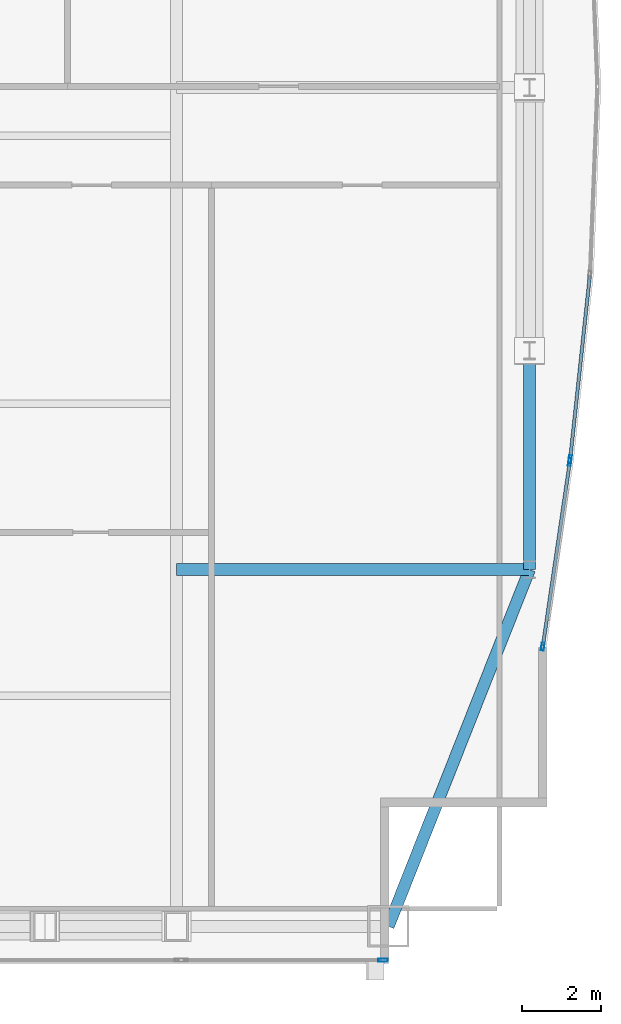
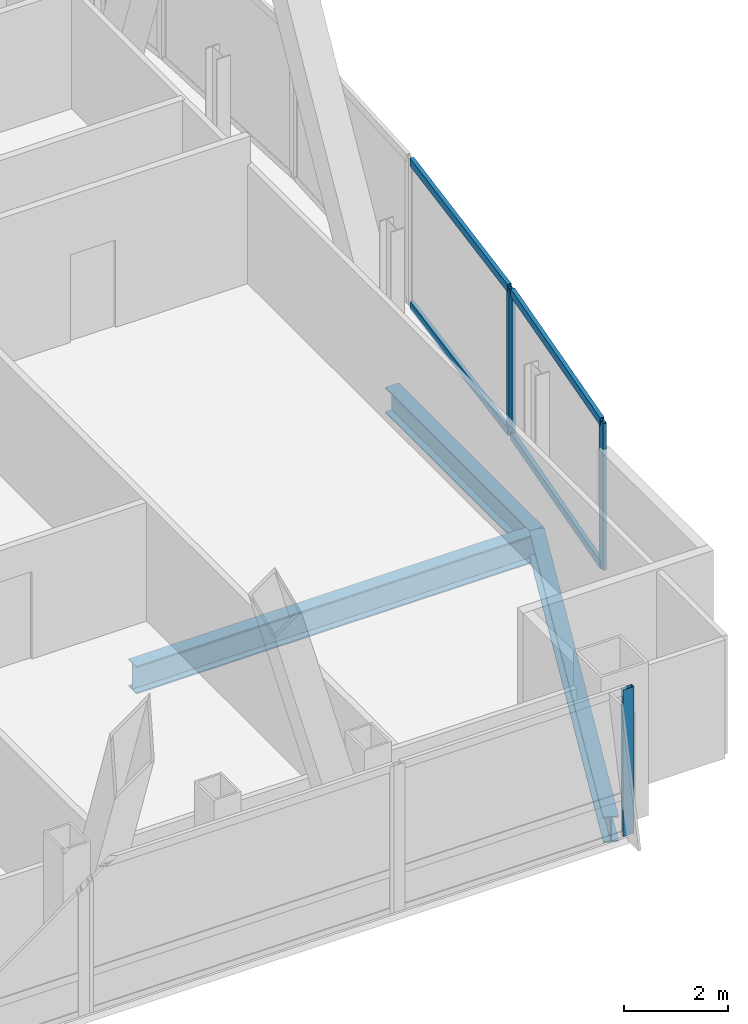
# One storey, part 16 of 31: 8 members, 3 beams, 3 elements without a shape of their own.
"""IFC4 building model written with IfcOpenShell, lengths in metres."""

from ifc_helpers import new_model, si_unit, direction, frame, origin, origin_2d, place, context, subcontext, project, spatial, hollow_rectangle, i_section, extrude, material, material_profile, profile_set, type_object, element, aggregate, save


model = new_model("IFC4")

# Units and contexts
model_context = context("Model", 3, precision=1e-05, world=origin(), true_north=direction((0.0, 1.0)))
body_context = subcontext(model_context, "Body", "Model", "MODEL_VIEW")
ifc_project = project(units=[si_unit("LENGTHUNIT", "METRE"), si_unit("AREAUNIT", "SQUARE_METRE"), si_unit("VOLUMEUNIT", "CUBIC_METRE"), si_unit("PLANEANGLEUNIT", "RADIAN"), si_unit("MASSUNIT", "GRAM", prefix="KILO")], contexts=[model_context])

# Site, building, storey
site_placement = place(None, origin())
site = spatial("IfcSite", under=ifc_project, at=site_placement, CompositionType="ELEMENT")
building_placement = place(site_placement, origin())
building = spatial("IfcBuilding", under=site, at=building_placement, Name="Khoronbel Lancet Exchange", CompositionType="ELEMENT")
storey_placement = place(building_placement, frame((0.0, 0.0, 249.800048828125)))
storey = spatial("IfcBuildingStorey", under=building, at=storey_placement, Name="L64", CompositionType="ELEMENT", Elevation=249.800048828125)

# Beams
ifc_material_1 = material(Name="Steel S355", Category="steel")
ifc_material_profile_1 = material_profile(ifc_material_1, i_section(OverallWidth=0.300048828125, OverallDepth=0.64990234375, WebThickness=0.01611328125, FlangeThickness=0.031005859375, at=origin_2d()), Name="HEB 650")
ifc_profile_set_1 = profile_set([ifc_material_profile_1], Name="Steel S355")
beam_type_1 = type_object("IfcBeamType", Name="BM-BG4", PredefinedType="BEAM", material=ifc_profile_set_1)
beam_1_placement = place(storey_placement, frame((54.675048828125, 19.199951171875, -0.485107421875), z_axis=(1.0, 0.0, 0.0), x_axis=(0.0, 1.0, 0.0)))
element("IfcBeam", 1, at=beam_1_placement, inside=storey, type_object=beam_type_1, Name="Level L64 east lens tie girder LG1E", PredefinedType="BEAM", context=body_context, shape_type="SweptSolid", body=[
    extrude(i_section(OverallWidth=0.300048828125, OverallDepth=0.64990234375, WebThickness=0.01611328125, FlangeThickness=0.031005859375, at=origin_2d()), origin(), (0.0, 0.0, 1.0), 8.954833984375),
])
ifc_material_profile_2 = material_profile(ifc_material_1, i_section(OverallWidth=0.300048828125, OverallDepth=0.60009765625, WebThickness=0.015380859375, FlangeThickness=0.030029296875, at=origin_2d()), Name="HEB 600")
ifc_profile_set_2 = profile_set([ifc_material_profile_2], Name="Steel S355")
beam_type_2 = type_object("IfcBeamType", Name="BM-BSP2", PredefinedType="SPANDREL", material=ifc_profile_set_2)
beam_2_placement = place(storey_placement, frame((60.050048828125, 10.14990234375, -0.4599609375), z_axis=(0.367828403855, 0.929893684954, 0.0), x_axis=(-0.929893684954, 0.367828403855, 0.0)))
element("IfcBeam", 2, at=beam_2_placement, inside=storey, type_object=beam_type_2, Name="Level L64 perimeter spandrel beam SP10", PredefinedType="SPANDREL", context=body_context, shape_type="SweptSolid", body=[
    extrude(i_section(OverallWidth=0.300048828125, OverallDepth=0.60009765625, WebThickness=0.015380859375, FlangeThickness=0.030029296875, at=origin_2d()), origin(), (0.0, 0.0, 1.0), 9.732421875),
])
beam_3_placement = place(storey_placement, frame((63.6298828125, 19.199951171875, -0.4599609375), z_axis=(0.0, 1.0, 0.0), x_axis=(-1.0, 0.0, 0.0)))
element("IfcBeam", 3, at=beam_3_placement, inside=storey, type_object=beam_type_2, Name="Level L64 perimeter spandrel beam SP11", PredefinedType="SPANDREL", context=body_context, shape_type="SweptSolid", body=[
    extrude(i_section(OverallWidth=0.300048828125, OverallDepth=0.60009765625, WebThickness=0.015380859375, FlangeThickness=0.030029296875, at=origin_2d()), origin(), (0.0, 0.0, 1.0), 5.550048828125),
])

# Curtain wall, member
ifc_material_2 = material(Name="Low-E Solar Control Insulating Glass", Category="glass")
curtain_wall_type_1 = type_object("IfcCurtainWallType", Name="CW-3", PredefinedType="NOTDEFINED", material=ifc_material_2)
curtain_wall_1_placement = place(storey_placement, origin())
curtain_wall_1 = element("IfcCurtainWall", 4, at=curtain_wall_1_placement, inside=storey, type_object=curtain_wall_type_1, Name="Unitised curtain wall CW-L64-SEV", PredefinedType="NOTDEFINED")
ifc_material_3 = material(Name="Bronze-Anodised Aluminium 6063-T6", Category="aluminium")
ifc_material_profile_3 = material_profile(ifc_material_3, hollow_rectangle(XDim=0.0849609375, YDim=0.239990234375, WallThickness=0.006103515625, at=origin_2d()), Name="ALU MULLION 85x240")
ifc_profile_set_3 = profile_set([ifc_material_profile_3], Name="Bronze-Anodised Aluminium 6063-T6")
member_type_1 = type_object("IfcMemberType", Name="MEM-CWM1", PredefinedType="MULLION", material=ifc_profile_set_3)
member_1_placement = place(storey_placement, frame((59.91748046875, 9.2900390625, 0.0), z_axis=(0.0, 0.0, 1.0), x_axis=(0.0, 1.0, 0.0)))
member_1 = element("IfcMember", 5, at=member_1_placement, type_object=member_type_1, Name="CW3 mullion 2", PredefinedType="MULLION", context=body_context, shape_type="SweptSolid", body=[
    extrude(hollow_rectangle(XDim=0.0849609375, YDim=0.239990234375, WallThickness=0.006103515625, at=origin_2d()), origin(), (0.0, 0.0, 1.0), 3.43994140625),
])
aggregate(curtain_wall_1, [member_1])

curtain_wall_type_2 = type_object("IfcCurtainWallType", Name="CW-4", PredefinedType="NOTDEFINED", material=ifc_material_2)
curtain_wall_2_placement = place(storey_placement, origin())
curtain_wall_2 = element("IfcCurtainWall", 6, at=curtain_wall_2_placement, inside=storey, type_object=curtain_wall_type_2, Name="Unitised curtain wall CW-L64-E21", PredefinedType="NOTDEFINED")
ifc_material_profile_4 = material_profile(ifc_material_3, hollow_rectangle(XDim=0.074951171875, YDim=0.199951171875, WallThickness=0.0048828125, at=origin_2d()), Name="ALU MULLION 75x200")
ifc_profile_set_4 = profile_set([ifc_material_profile_4], Name="Bronze-Anodised Aluminium 6063-T6")
member_type_2 = type_object("IfcMemberType", Name="MEM-CWM2", PredefinedType="MULLION", material=ifc_profile_set_4)
member_2_placement = place(storey_placement, frame((64.65966796875, 21.99853515625, 0.0), z_axis=(0.0, 0.0, 1.0), x_axis=(0.994311928022, -0.106507228834, 0.0)))
member_2 = element("IfcMember", 7, at=member_2_placement, type_object=member_type_2, Name="CW4 mullion 2", PredefinedType="MULLION", context=body_context, shape_type="SweptSolid", body=[
    extrude(hollow_rectangle(XDim=0.074951171875, YDim=0.199951171875, WallThickness=0.0048828125, at=origin_2d()), origin(), (0.0, 0.0, 1.0), 3.43994140625),
])

# Curtain wall, members
curtain_wall_3_placement = place(storey_placement, origin())
curtain_wall_3 = element("IfcCurtainWall", 8, at=curtain_wall_3_placement, inside=storey, type_object=curtain_wall_type_2, Name="Unitised curtain wall CW-L64-E22", PredefinedType="NOTDEFINED")
member_3_placement = place(storey_placement, frame((64.650146484375, 21.92431640625, 0.0), z_axis=(0.0, 0.0, 1.0), x_axis=(0.989467753264, -0.144753463694, 0.0)))
member_3 = element("IfcMember", 9, at=member_3_placement, type_object=member_type_2, Name="CW4 mullion 1", PredefinedType="MULLION", context=body_context, shape_type="SweptSolid", body=[
    extrude(hollow_rectangle(XDim=0.074951171875, YDim=0.199951171875, WallThickness=0.0048828125, at=origin_2d()), origin(), (0.0, 0.0, 1.0), 3.43994140625),
])
member_4_placement = place(storey_placement, frame((63.96533203125, 17.24365234375, 0.0), z_axis=(0.0, 0.0, 1.0), x_axis=(0.989467753264, -0.144753463694, 0.0)))
member_4 = element("IfcMember", 10, at=member_4_placement, type_object=member_type_2, Name="CW4 mullion 2", PredefinedType="MULLION", context=body_context, shape_type="SweptSolid", body=[
    extrude(hollow_rectangle(XDim=0.074951171875, YDim=0.199951171875, WallThickness=0.0048828125, at=origin_2d()), origin(), (0.0, 0.0, 1.0), 3.43994140625),
])

# Member
ifc_material_profile_5 = material_profile(ifc_material_3, hollow_rectangle(XDim=0.0849609375, YDim=0.179931640625, WallThickness=0.0048828125, at=origin_2d()), Name="ALU TRANSOM 85x180")
ifc_profile_set_5 = profile_set([ifc_material_profile_5], Name="Bronze-Anodised Aluminium 6063-T6")
member_type_3 = type_object("IfcMemberType", Name="MEM-CWT1", PredefinedType="USERDEFINED", material=ifc_profile_set_5)
member_5_placement = place(storey_placement, frame((65.156005859375, 26.632080078125, 0.04248046875), z_axis=(-0.106529393895, -0.994309553528, 0.0), x_axis=(0.994309553528, -0.106529393895, 0.0)))
member_5 = element("IfcMember", 11, at=member_5_placement, type_object=member_type_3, Name="CW4 transom 1.1", ObjectType="TRANSOM", PredefinedType="USERDEFINED", context=body_context, shape_type="SweptSolid", body=[
    extrude(hollow_rectangle(XDim=0.0849609375, YDim=0.179931640625, WallThickness=0.0048828125, at=origin_2d()), origin(), (0.0, 0.0, 1.0), 4.62255859375),
])

member_6_placement = place(storey_placement, frame((65.156005859375, 26.632080078125, 3.3974609375), z_axis=(-0.106529393895, -0.994309553528, 0.0), x_axis=(0.994309553528, -0.106529393895, 0.0)))
member_6 = element("IfcMember", 12, at=member_6_placement, type_object=member_type_3, Name="CW4 transom 1.2", ObjectType="TRANSOM", PredefinedType="USERDEFINED", context=body_context, shape_type="SweptSolid", body=[
    extrude(hollow_rectangle(XDim=0.0849609375, YDim=0.179931640625, WallThickness=0.0048828125, at=origin_2d()), origin(), (0.0, 0.0, 1.0), 4.62255859375),
])

aggregate(curtain_wall_2, [member_2, member_5, member_6])

member_7_placement = place(storey_placement, frame((64.644775390625, 21.88720703125, 0.04248046875), z_axis=(-0.144739071958, -0.989469858585, 0.0), x_axis=(0.989469858585, -0.144739071958, 0.0)))
member_7 = element("IfcMember", 13, at=member_7_placement, type_object=member_type_3, Name="CW4 transom 1.1", ObjectType="TRANSOM", PredefinedType="USERDEFINED", context=body_context, shape_type="SweptSolid", body=[
    extrude(hollow_rectangle(XDim=0.0849609375, YDim=0.179931640625, WallThickness=0.0048828125, at=origin_2d()), origin(), (0.0, 0.0, 1.0), 4.655517578125),
])

member_8_placement = place(storey_placement, frame((64.644775390625, 21.88720703125, 3.3974609375), z_axis=(-0.144739071958, -0.989469858585, 0.0), x_axis=(0.989469858585, -0.144739071958, 0.0)))
member_8 = element("IfcMember", 14, at=member_8_placement, type_object=member_type_3, Name="CW4 transom 1.2", ObjectType="TRANSOM", PredefinedType="USERDEFINED", context=body_context, shape_type="SweptSolid", body=[
    extrude(hollow_rectangle(XDim=0.0849609375, YDim=0.179931640625, WallThickness=0.0048828125, at=origin_2d()), origin(), (0.0, 0.0, 1.0), 4.655517578125),
])

aggregate(curtain_wall_3, [member_3, member_4, member_7, member_8])

save(model, "model.ifc")
